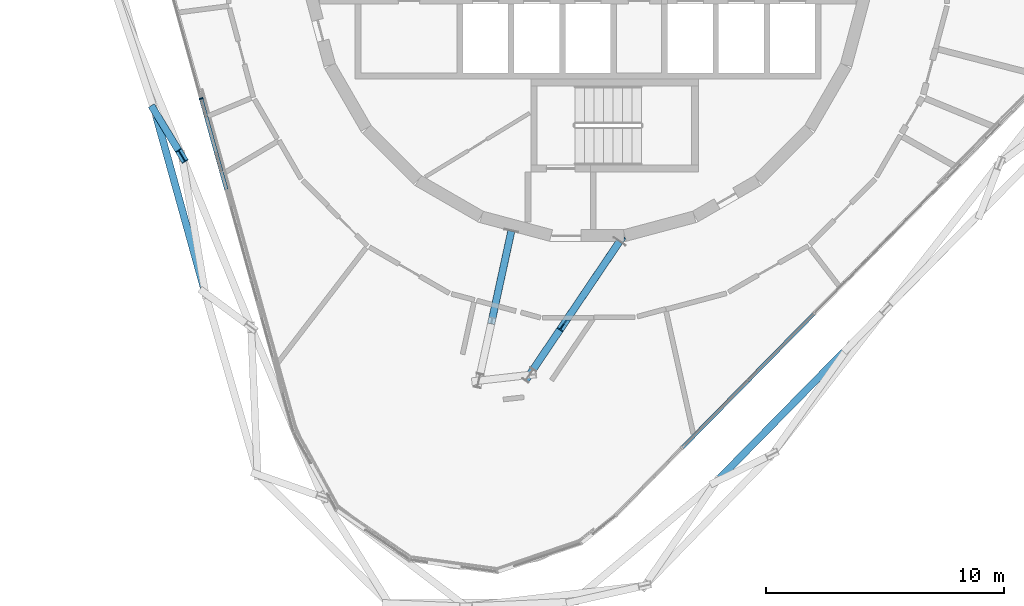
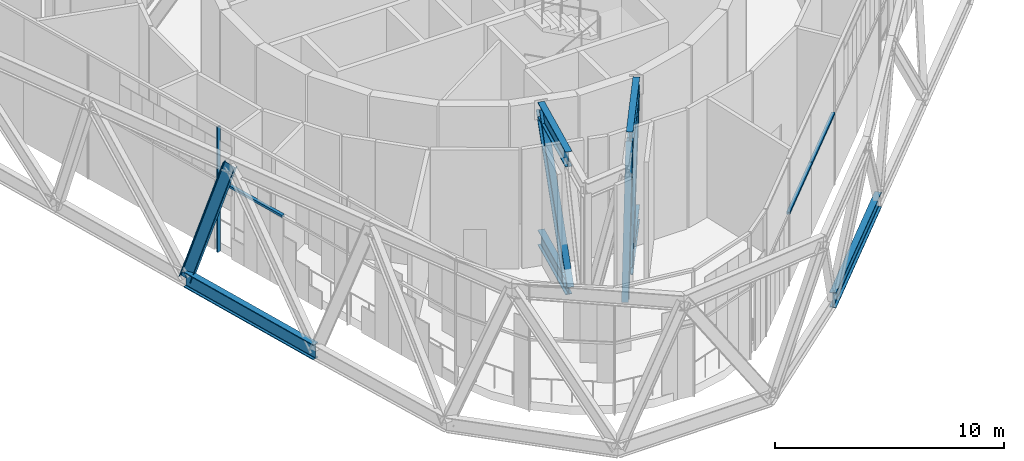
# One storey, part 2 of 23: 14 members, 2 elements without a shape of their own.
"""IFC4 building model written with IfcOpenShell, lengths in metres."""

from ifc_helpers import new_model, si_unit, direction, frame, origin, origin_2d, place, context, subcontext, project, spatial, rectangle, i_section, extrude, material, layer, layer_set, material_profile, profile_set, type_object, element, aggregate, save


model = new_model("IFC4")

# Units and contexts
model_context = context("Model", 3, precision=1e-05, world=origin(), true_north=direction((0.0, 1.0)))
body_context = subcontext(model_context, "Body", "Model", "MODEL_VIEW")
ifc_project = project(units=[si_unit("LENGTHUNIT", "METRE"), si_unit("AREAUNIT", "SQUARE_METRE"), si_unit("VOLUMEUNIT", "CUBIC_METRE"), si_unit("PLANEANGLEUNIT", "RADIAN"), si_unit("MASSUNIT", "GRAM", prefix="KILO")], contexts=[model_context])

# Site, building, storey
site_placement = place(None, origin())
site = spatial("IfcSite", under=ifc_project, at=site_placement, CompositionType="ELEMENT")
building_placement = place(site_placement, origin())
building = spatial("IfcBuilding", under=site, at=building_placement, Name="Spindle Arch Residences", CompositionType="ELEMENT")
storey_placement = place(building_placement, frame((0.0, 0.0, 326.199951171875)))
storey = spatial("IfcBuildingStorey", under=building, at=storey_placement, Name="L84", CompositionType="ELEMENT", Elevation=326.199951171875)

# Members
ifc_material_1 = material(Name="Steel S460ML, intumescent coating R 240", Category="steel")
ifc_material_profile_1 = material_profile(ifc_material_1, i_section(OverallWidth=0.302978515625, OverallDepth=0.81396484375, WebThickness=0.02099609375, FlangeThickness=0.0400390625, FilletRadius=0.030029296875, at=origin_2d()), Name="HEM 800")
ifc_profile_set_1 = profile_set([ifc_material_profile_1], Name="Steel S460ML, intumescent coating R 240")
member_type_1 = type_object("IfcMemberType", Name="Belt truss chord HEM 800", PredefinedType="CHORD", material=ifc_profile_set_1)
member_1_placement = place(storey_placement, frame((-18.210693359375, -6.422607421875, -0.85693359375), z_axis=(0.26724395521, -0.963628905961, 0.0), x_axis=(0.963628905961, 0.26724395521, 0.0)))
element("IfcMember", 1, at=member_1_placement, inside=storey, type_object=member_type_1, Name="Belt truss bottom chord L84.14", PredefinedType="CHORD", context=body_context, shape_type="SweptSolid", body=[
    extrude(i_section(OverallWidth=0.302978515625, OverallDepth=0.81396484375, WebThickness=0.02099609375, FlangeThickness=0.0400390625, FilletRadius=0.030029296875, at=origin_2d()), origin(), (0.0, 0.0, 1.0), 7.93505859375),
])
member_2_placement = place(storey_placement, frame((5.397705078125, -21.9921875, -0.85693359375), z_axis=(0.700926669642, 0.713233344555, 0.0), x_axis=(-0.713233344555, 0.700926669642, 0.0)))
element("IfcMember", 2, at=member_2_placement, inside=storey, type_object=member_type_1, Name="Belt truss bottom chord L84.19", PredefinedType="CHORD", context=body_context, shape_type="SweptSolid", body=[
    extrude(i_section(OverallWidth=0.302978515625, OverallDepth=0.81396484375, WebThickness=0.02099609375, FlangeThickness=0.0400390625, FilletRadius=0.030029296875, at=origin_2d()), origin(), (0.0, 0.0, 1.0), 7.935302734375),
])
ifc_material_2 = material(Name="Steel S460ML, intumescent coating R 240", Category="steel")
ifc_material_profile_2 = material_profile(ifc_material_2, i_section(OverallWidth=0.300048828125, OverallDepth=0.60009765625, WebThickness=0.015380859375, FlangeThickness=0.030029296875, FilletRadius=0.027099609375, at=origin_2d()), Name="HEB 600")
ifc_profile_set_2 = profile_set([ifc_material_profile_2], Name="Steel S460ML, intumescent coating R 240")
member_type_2 = type_object("IfcMemberType", Name="Belt truss diagonal HEB 600", PredefinedType="BRACE", material=ifc_profile_set_2)
member_3_placement = place(storey_placement, frame((-18.210693359375, -6.422607421875, -0.85693359375), z_axis=(0.159015563016, -0.262018551826, 0.951872013045), x_axis=(0.854884661683, 0.518818094537, 0.0)))
element("IfcMember", 3, at=member_3_placement, inside=storey, type_object=member_type_2, Name="Belt truss diagonal L84.14.14", PredefinedType="BRACE", context=body_context, shape_type="SweptSolid", body=[
    extrude(i_section(OverallWidth=0.300048828125, OverallDepth=0.60009765625, WebThickness=0.015380859375, FlangeThickness=0.030029296875, FilletRadius=0.027099609375, at=origin_2d()), origin(), (0.0, 0.0, 1.0), 7.143798828125),
])

# Curtain wall, members
ifc_material_3 = material(Name="Aluminium bronze unitised frame with tinted glass", Category="aluminium")
ifc_layer = layer(ifc_material_3, 0.159912109375)
ifc_layer_set = layer_set([ifc_layer], Name="CW-E double-height winter garden wall")
curtain_wall_type = type_object("IfcCurtainWallType", Name="CW-E double-height winter garden wall", PredefinedType="NOTDEFINED", material=ifc_layer_set)
curtain_wall_1_placement = place(storey_placement, origin())
curtain_wall_1 = element("IfcCurtainWall", 4, at=curtain_wall_1_placement, inside=storey, type_object=curtain_wall_type, Name="CW-E L84 run 4", PredefinedType="NOTDEFINED")
ifc_material_4 = material(Name="Aluminium bronze anodised mullion", Category="aluminium")
ifc_material_profile_3 = material_profile(ifc_material_4, rectangle(XDim=0.159912109375, YDim=0.06005859375, at=origin_2d()), Name="MU 60x160")
ifc_profile_set_3 = profile_set([ifc_material_profile_3], Name="Aluminium bronze anodised mullion")
member_type_3 = type_object("IfcMemberType", Name="Bronze mullion 60x160", PredefinedType="MULLION", material=ifc_profile_set_3)
member_4_placement = place(storey_placement, frame((-16.263916015625, -5.8828125, -0.449951171875), z_axis=(0.0, 0.0, 1.0), x_axis=(0.963630453209, 0.267238376078, 0.0)))
member_4 = element("IfcMember", 5, at=member_4_placement, type_object=member_type_3, Name="CW-E mullion 13", PredefinedType="MULLION", context=body_context, shape_type="SweptSolid", body=[
    extrude(rectangle(XDim=0.159912109375, YDim=0.06005859375, at=origin_2d()), origin(), (0.0, 0.0, 1.0), 6.679931640625),
])
ifc_material_5 = material(Name="Aluminium bronze anodised transom", Category="aluminium")
ifc_material_profile_4 = material_profile(ifc_material_5, rectangle(XDim=0.159912109375, YDim=0.1201171875, at=origin_2d()), Name="TR 120x160")
ifc_profile_set_4 = profile_set([ifc_material_profile_4], Name="Aluminium bronze anodised transom")
member_type_4 = type_object("IfcMemberType", Name="Bronze transom 120x160", PredefinedType="USERDEFINED", material=ifc_profile_set_4)
member_5_placement = place(storey_placement, frame((-16.256103515625, -5.911865234375, 3.400146484375), z_axis=(0.267244091248, -0.963628868234, 0.0), x_axis=(0.963628868234, 0.267244091248, 0.0)))
member_5 = element("IfcMember", 6, at=member_5_placement, type_object=member_type_4, Name="CW-E transom 13Am", ObjectType="TRANSOM", PredefinedType="USERDEFINED", context=body_context, shape_type="SweptSolid", body=[
    extrude(rectangle(XDim=0.159912109375, YDim=0.1201171875, at=origin_2d()), origin(), (0.0, 0.0, 1.0), 3.9375),
])
aggregate(curtain_wall_1, [member_4, member_5])

curtain_wall_2_placement = place(storey_placement, origin())
curtain_wall_2 = element("IfcCurtainWall", 7, at=curtain_wall_2_placement, inside=storey, type_object=curtain_wall_type, Name="CW-E L84 run 6", PredefinedType="NOTDEFINED")
member_6_placement = place(storey_placement, frame((3.97802734375, -20.55517578125, 3.400146484375), z_axis=(0.700910862961, 0.713248878151, 0.0), x_axis=(-0.713248878151, 0.700910862961, 0.0)))
member_6 = element("IfcMember", 8, at=member_6_placement, type_object=member_type_4, Name="CW-E transom 18Am", ObjectType="TRANSOM", PredefinedType="USERDEFINED", context=body_context, shape_type="SweptSolid", body=[
    extrude(rectangle(XDim=0.159912109375, YDim=0.1201171875, at=origin_2d()), origin(), (0.0, 0.0, 1.0), 3.937744140625),
])
member_7_placement = place(storey_placement, frame((6.738037109375, -17.74658203125, 3.400146484375), z_axis=(0.700910317307, 0.713249414365, 0.0), x_axis=(-0.713249414365, 0.700910317307, 0.0)))
member_7 = element("IfcMember", 9, at=member_7_placement, type_object=member_type_4, Name="CW-E transom 18Bm", ObjectType="TRANSOM", PredefinedType="USERDEFINED", context=body_context, shape_type="SweptSolid", body=[
    extrude(rectangle(XDim=0.159912109375, YDim=0.1201171875, at=origin_2d()), origin(), (0.0, 0.0, 1.0), 3.9375),
])
aggregate(curtain_wall_2, [member_6, member_7])

# Members
ifc_material_6 = material(Name="Steel S460ML, intumescent coating R 240", Category="steel")
ifc_material_profile_5 = material_profile(ifc_material_6, i_section(OverallWidth=0.302978515625, OverallDepth=0.81396484375, WebThickness=0.02099609375, FlangeThickness=0.0400390625, FilletRadius=0.030029296875, at=origin_2d()), Name="HEM 800")
ifc_profile_set_5 = profile_set([ifc_material_profile_5], Name="Steel S460ML, intumescent coating R 240")
member_type_5 = type_object("IfcMemberType", Name="Transfer truss chord HEM 800", PredefinedType="CHORD", material=ifc_profile_set_5)
for number, where, z_axis, x_axis, name in (
    (10, (-3.220458984375, -11.4541015625, -0.85693359375), (-0.212589604977, -0.977141576158, 0.0), (0.977141576158, -0.212589604977, 0.0), "Transfer truss chord L84"),
    (11, (-3.220458984375, -11.4541015625, 5.943115234375), (-0.212589604977, -0.977141576158, 0.0), (0.977141576158, -0.212589604977, 0.0), "Transfer truss chord L84"),
):
    element("IfcMember", number, at=place(storey_placement, frame(where, z_axis=z_axis, x_axis=x_axis)), inside=storey, type_object=member_type_5, Name=name, PredefinedType="CHORD", context=body_context, shape_type="SweptSolid", body=[
        extrude(i_section(OverallWidth=0.302978515625, OverallDepth=0.81396484375, WebThickness=0.02099609375, FlangeThickness=0.0400390625, FilletRadius=0.030029296875, at=origin_2d()), origin(), (0.0, 0.0, 1.0), 3.991943359375),
    ])
for number, where, z_axis, x_axis, name in (
    (12, (1.328125, -11.897216796875, -0.85693359375), (-0.559792623753, -0.828632740357, 0.0), (0.828632740357, -0.559792623753, 0.0), "Transfer truss chord L84"),
    (13, (1.328125, -11.897216796875, 5.943115234375), (-0.559792623753, -0.828632740357, 0.0), (0.828632740357, -0.559792623753, 0.0), "Transfer truss chord L84"),
):
    element("IfcMember", number, at=place(storey_placement, frame(where, z_axis=z_axis, x_axis=x_axis)), inside=storey, type_object=member_type_5, Name=name, PredefinedType="CHORD", context=body_context, shape_type="SweptSolid", body=[
        extrude(i_section(OverallWidth=0.302978515625, OverallDepth=0.81396484375, WebThickness=0.02099609375, FlangeThickness=0.0400390625, FilletRadius=0.030029296875, at=origin_2d()), origin(), (0.0, 0.0, 1.0), 4.195556640625),
    ])
ifc_material_7 = material(Name="Steel S460ML, intumescent coating R 240", Category="steel")
ifc_material_profile_6 = material_profile(ifc_material_7, i_section(OverallWidth=0.304931640625, OverallDepth=0.6201171875, WebThickness=0.02099609375, FlangeThickness=0.0400390625, FilletRadius=0.027099609375, at=origin_2d()), Name="HEM 600")
ifc_profile_set_6 = profile_set([ifc_material_profile_6], Name="Steel S460ML, intumescent coating R 240")
member_type_6 = type_object("IfcMemberType", Name="Transfer truss diagonal HEM 600", PredefinedType="BRACE", material=ifc_profile_set_6)
member_8_placement = place(storey_placement, frame((-4.069091796875, -15.354736328125, -0.85693359375), z_axis=(0.107624005722, 0.494680304781, 0.862385336989), x_axis=(-0.977141576158, 0.212589604977, 0.0)))
element("IfcMember", 14, at=member_8_placement, inside=storey, type_object=member_type_6, Name="Transfer truss diagonal L84", PredefinedType="BRACE", context=body_context, shape_type="SweptSolid", body=[
    extrude(i_section(OverallWidth=0.304931640625, OverallDepth=0.6201171875, WebThickness=0.02099609375, FlangeThickness=0.0400390625, FilletRadius=0.027099609375, at=origin_2d()), origin(), (0.0, 0.0, 1.0), 7.88525390625),
])
member_9_placement = place(storey_placement, frame((-1.0205078125, -15.373779296875, -0.85693359375), z_axis=(0.293939336058, 0.435103549425, 0.851049098464), x_axis=(-0.828632740357, 0.559792623753, 0.0)))
element("IfcMember", 15, at=member_9_placement, inside=storey, type_object=member_type_6, Name="Transfer truss diagonal L84", PredefinedType="BRACE", context=body_context, shape_type="SweptSolid", body=[
    extrude(i_section(OverallWidth=0.304931640625, OverallDepth=0.6201171875, WebThickness=0.02099609375, FlangeThickness=0.0400390625, FilletRadius=0.027099609375, at=origin_2d()), origin(), (0.0, 0.0, 1.0), 7.990234375),
])
member_10_placement = place(storey_placement, frame((-2.460205078125, -17.5048828125, -0.85693359375), z_axis=(0.19802871252, 0.29313085155, 0.93533894011), x_axis=(-0.828631812677, 0.559793996948, 0.0)))
element("IfcMember", 16, at=member_10_placement, inside=storey, type_object=member_type_6, Name="Transfer truss diagonal L84", PredefinedType="BRACE", context=body_context, shape_type="SweptSolid", body=[
    extrude(i_section(OverallWidth=0.304931640625, OverallDepth=0.6201171875, WebThickness=0.02099609375, FlangeThickness=0.0400390625, FilletRadius=0.027099609375, at=origin_2d()), origin(), (0.0, 0.0, 1.0), 7.270263671875),
])

save(model, "model.ifc")
